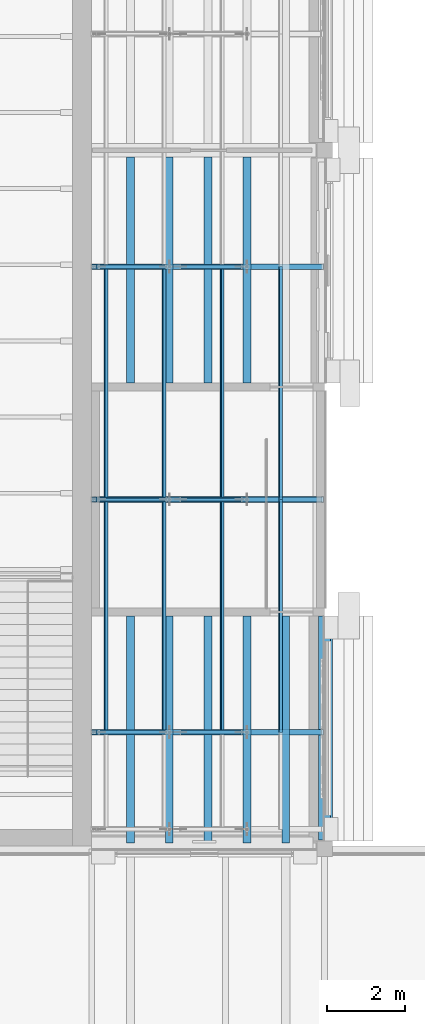
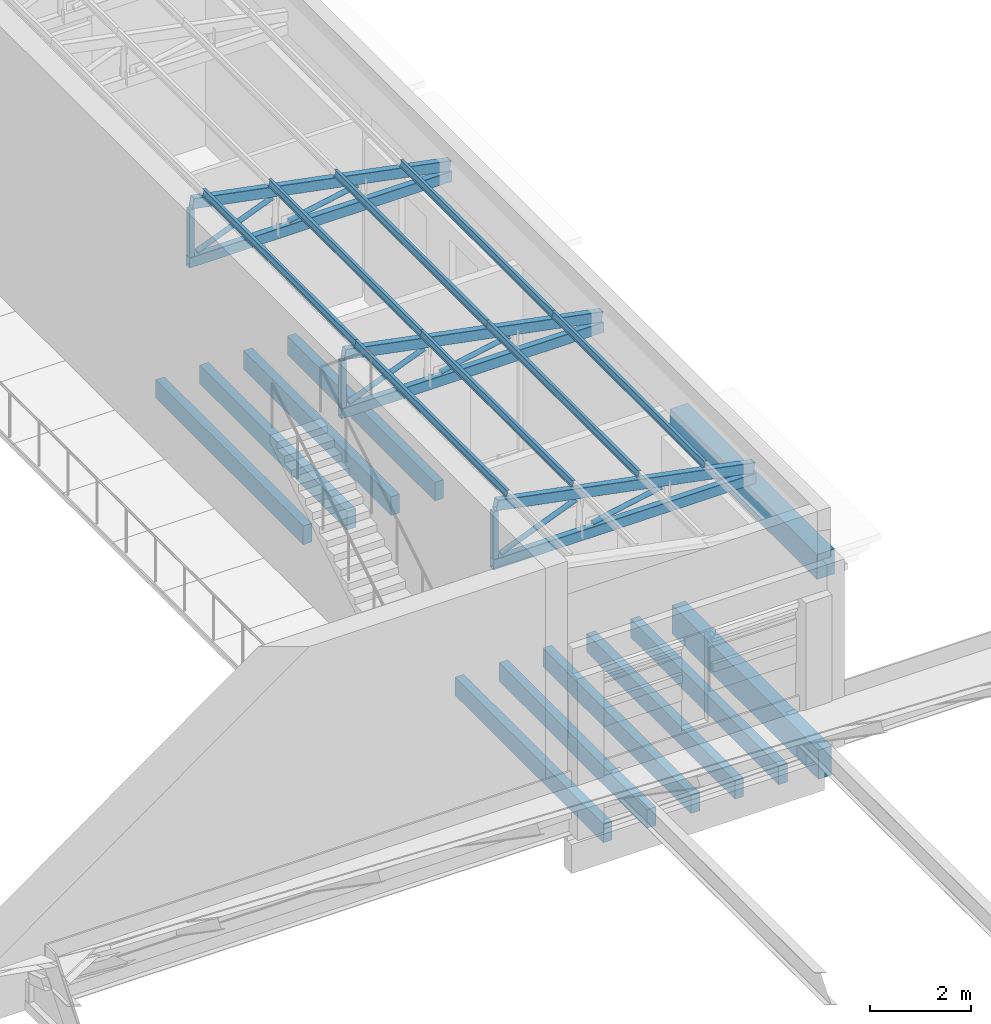
# One storey, part 31 of 118: 23 members, 11 beams.
"""IFC4 building model written with IfcOpenShell, lengths in metres."""

from ifc_helpers import new_model, si_unit, direction, frame, origin, origin_2d, place, context, subcontext, project, spatial, rectangle, hollow_rectangle, hollow_circle, i_section, extrude, material, material_profile, profile_set, type_object, element, save


model = new_model("IFC4")

# Units and contexts
model_context = context("Model", 3, precision=1e-05, world=origin(), true_north=direction((0.0, 1.0)))
body_context = subcontext(model_context, "Body", "Model", "MODEL_VIEW")
ifc_project = project(units=[si_unit("LENGTHUNIT", "METRE"), si_unit("AREAUNIT", "SQUARE_METRE"), si_unit("VOLUMEUNIT", "CUBIC_METRE"), si_unit("PLANEANGLEUNIT", "RADIAN"), si_unit("MASSUNIT", "GRAM", prefix="KILO")], contexts=[model_context])

# Site, building, storey
site_placement = place(None, origin())
site = spatial("IfcSite", under=ifc_project, at=site_placement, CompositionType="ELEMENT")
building_placement = place(site_placement, origin())
building = spatial("IfcBuilding", under=site, at=building_placement, Name="Saffron Lane Theatres", CompositionType="ELEMENT")
storey_placement = place(building_placement, frame((0.0, 0.0, 16.5)))
storey = spatial("IfcBuildingStorey", under=building, at=storey_placement, Name="L03", CompositionType="ELEMENT", Elevation=16.5)

# Beams
ifc_material_1 = material(Name="Concrete N40 (40 MPa)", Category="concrete")
ifc_material_profile_1 = material_profile(ifc_material_1, rectangle(XDim=0.300048828125, YDim=0.699951171875, at=origin_2d()))
ifc_profile_set_1 = profile_set([ifc_material_profile_1], Name="Concrete N40 (40 MPa)")
beam_type_1 = type_object("IfcBeamType", Name="RC-BEAM 300x700", PredefinedType="BEAM", material=ifc_profile_set_1)
beam_1_placement = place(storey_placement, frame((54.0, 30.22509765625, -0.60009765625), z_axis=(0.0, 1.0, 0.0), x_axis=(-1.0, 0.0, 0.0)))
element("IfcBeam", 1, at=beam_1_placement, inside=storey, type_object=beam_type_1, Name="beam-L03-y540-302", PredefinedType="BEAM", context=body_context, shape_type="SweptSolid", body=[
    extrude(rectangle(XDim=0.300048828125, YDim=0.699951171875, at=origin_2d()), origin(), (0.0, 0.0, 1.0), 5.77490234375),
])
ifc_material_2 = material(Name="Concrete N40 (40 MPa)", Category="concrete")
ifc_material_profile_2 = material_profile(ifc_material_2, rectangle(XDim=0.39990234375, YDim=0.60009765625, at=origin_2d()))
ifc_profile_set_2 = profile_set([ifc_material_profile_2], Name="Concrete N40 (40 MPa)")
beam_type_2 = type_object("IfcBeamType", Name="RC-BEAM 400x600", PredefinedType="BEAM", material=ifc_profile_set_2)
beam_2_placement = place(storey_placement, frame((54.0, 30.199951171875, 4.199951171875), z_axis=(0.0, 1.0, 0.0), x_axis=(-1.0, 0.0, 0.0)))
element("IfcBeam", 2, at=beam_2_placement, inside=storey, type_object=beam_type_2, Name="beam-roof-side-y540-7", PredefinedType="BEAM", context=body_context, shape_type="SweptSolid", body=[
    extrude(rectangle(XDim=0.39990234375, YDim=0.60009765625, at=origin_2d()), origin(), (0.0, 0.0, 1.0), 5.800048828125),
])
ifc_material_3 = material(Name="Concrete N40 (40 MPa)", Category="concrete")
ifc_material_profile_3 = material_profile(ifc_material_3, rectangle(XDim=0.199951171875, YDim=0.449951171875, at=origin_2d()))
ifc_profile_set_3 = profile_set([ifc_material_profile_3], Name="Concrete N40 (40 MPa)")
beam_type_3 = type_object("IfcBeamType", Name="RC-JOIST 200x450", PredefinedType="JOIST", material=ifc_profile_set_3)
for number, where, z_axis, x_axis, name in (
    (3, (49.0, 30.14990234375, -0.47509765625), (0.0, 1.0, 0.0), (-1.0, 0.0, 0.0), "joist-L03-y4900-302"),
    (4, (50.0, 30.14990234375, -0.47509765625), (0.0, 1.0, 0.0), (-1.0, 0.0, 0.0), "joist-L03-y5000-302"),
    (5, (51.0, 30.14990234375, -0.47509765625), (0.0, 1.0, 0.0), (-1.0, 0.0, 0.0), "joist-L03-y5100-302"),
    (6, (52.0, 30.14990234375, -0.47509765625), (0.0, 1.0, 0.0), (-1.0, 0.0, 0.0), "joist-L03-y5200-302"),
    (7, (53.0, 30.14990234375, -0.47509765625), (0.0, 1.0, 0.0), (-1.0, 0.0, 0.0), "joist-L03-y5300-302"),
):
    element("IfcBeam", number, at=place(storey_placement, frame(where, z_axis=z_axis, x_axis=x_axis)), inside=storey, type_object=beam_type_3, Name=name, PredefinedType="JOIST", context=body_context, shape_type="SweptSolid", body=[
        extrude(rectangle(XDim=0.199951171875, YDim=0.449951171875, at=origin_2d()), origin(), (0.0, 0.0, 1.0), 5.85009765625),
    ])
for number, where, z_axis, x_axis, name in (
    (8, (49.0, 42.0, -0.47509765625), (0.0, 1.0, 0.0), (-1.0, 0.0, 0.0), "joist-L03-y4900-420"),
    (9, (50.0, 42.0, -0.47509765625), (0.0, 1.0, 0.0), (-1.0, 0.0, 0.0), "joist-L03-y5000-420"),
    (10, (51.0, 42.0, -0.47509765625), (0.0, 1.0, 0.0), (-1.0, 0.0, 0.0), "joist-L03-y5100-420"),
    (11, (52.0, 42.0, -0.47509765625), (0.0, 1.0, 0.0), (-1.0, 0.0, 0.0), "joist-L03-y5200-420"),
):
    element("IfcBeam", number, at=place(storey_placement, frame(where, z_axis=z_axis, x_axis=x_axis)), inside=storey, type_object=beam_type_3, Name=name, PredefinedType="JOIST", context=body_context, shape_type="SweptSolid", body=[
        extrude(rectangle(XDim=0.199951171875, YDim=0.449951171875, at=origin_2d()), origin(), (0.0, 0.0, 1.0), 5.824951171875),
    ])

# Members
ifc_material_4 = material(Name="Steel Grade 350", Category="steel")
ifc_material_profile_4 = material_profile(ifc_material_4, hollow_rectangle(XDim=0.125, YDim=0.125, WallThickness=0.006103515625, InnerFilletRadius=0.0029296875, OuterFilletRadius=0.009033203125, at=origin_2d()))
ifc_profile_set_4 = profile_set([ifc_material_profile_4], Name="Steel Grade 350")
member_type_1 = type_object("IfcMemberType", Name="ST-STUDIO POST 125x125x6 SHS", PredefinedType="POST", material=ifc_profile_set_4)
for number, where, z_axis, x_axis, name in (
    (12, (48.0625, 33.0, 4.75), (0.0, 0.0, 1.0), (1.0, 0.0, 0.0), "SB4-P10"),
    (13, (48.0625, 39.0, 4.75), (0.0, 0.0, 1.0), (1.0, 0.0, 0.0), "SB4-P17"),
    (14, (48.0625, 45.0, 4.75), (0.0, 0.0, 1.0), (1.0, 0.0, 0.0), "SB4-P24"),
):
    element("IfcMember", number, at=place(storey_placement, frame(where, z_axis=z_axis, x_axis=x_axis)), inside=storey, type_object=member_type_1, Name=name, PredefinedType="POST", context=body_context, shape_type="SweptSolid", body=[
        extrude(hollow_rectangle(XDim=0.125, YDim=0.125, WallThickness=0.006103515625, InnerFilletRadius=0.0029296875, OuterFilletRadius=0.009033203125, at=origin_2d()), origin(), (0.0, 0.0, 1.0), 1.140869140625),
    ])
ifc_material_5 = material(Name="Steel Grade 350", Category="steel")
ifc_material_profile_5 = material_profile(ifc_material_5, i_section(OverallWidth=0.074951171875, OverallDepth=0.155029296875, WebThickness=0.006103515625, FlangeThickness=0.009521484375, FilletRadius=0.008056640625, at=origin_2d()))
ifc_profile_set_5 = profile_set([ifc_material_profile_5], Name="Steel Grade 350")
member_type_2 = type_object("IfcMemberType", Name="ST-STUDIO PURLIN 150UB18.0", PredefinedType="PURLIN", material=ifc_profile_set_5)
for number, where, z_axis, x_axis, name in (
    (15, (52.862548828125, 33.0, 5.304443359375), (0.0, 1.0, 0.0), (-0.981660567439, 0.0, 0.190637169344), "SB4-U44"),
    (16, (52.862548828125, 39.0, 5.304443359375), (0.0, 1.0, 0.0), (-0.981660567439, 0.0, 0.190637169344), "SB4-U45"),
    (17, (51.362548828125, 33.0, 5.595947265625), (0.0, 1.0, 0.0), (-0.981660567439, 0.0, 0.190637169344), "SB4-U49"),
    (18, (51.362548828125, 39.0, 5.595947265625), (0.0, 1.0, 0.0), (-0.981660567439, 0.0, 0.190637169344), "SB4-U50"),
    (19, (49.862548828125, 33.0, 5.88720703125), (0.0, 1.0, 0.0), (-0.981660567439, 0.0, 0.190637169344), "SB4-U54"),
    (20, (49.862548828125, 39.0, 5.88720703125), (0.0, 1.0, 0.0), (-0.981660567439, 0.0, 0.190637169344), "SB4-U55"),
    (21, (48.362548828125, 33.0, 6.178466796875), (0.0, 1.0, 0.0), (-0.981660567439, 0.0, 0.190637169344), "SB4-U59"),
    (22, (48.362548828125, 39.0, 6.178466796875), (0.0, 1.0, 0.0), (-0.981660567439, 0.0, 0.190637169344), "SB4-U60"),
):
    element("IfcMember", number, at=place(storey_placement, frame(where, z_axis=z_axis, x_axis=x_axis)), inside=storey, type_object=member_type_2, Name=name, PredefinedType="PURLIN", context=body_context, shape_type="SweptSolid", body=[
        extrude(i_section(OverallWidth=0.074951171875, OverallDepth=0.155029296875, WebThickness=0.006103515625, FlangeThickness=0.009521484375, FilletRadius=0.008056640625, at=origin_2d()), origin(), (0.0, 0.0, 1.0), 6.0),
    ])
ifc_material_6 = material(Name="Steel Grade 350", Category="steel")
ifc_material_profile_6 = material_profile(ifc_material_6, hollow_rectangle(XDim=0.14990234375, YDim=0.25, WallThickness=0.009033203125, InnerFilletRadius=0.00439453125, OuterFilletRadius=0.013427734375, at=origin_2d()))
ifc_profile_set_6 = profile_set([ifc_material_profile_6], Name="Steel Grade 350")
member_type_3 = type_object("IfcMemberType", Name="ST-STUDIO TRUSS CHORD 250x150x9 RHS", PredefinedType="CHORD", material=ifc_profile_set_6)
member_1_placement = place(storey_placement, frame((53.97998046875, 33.0, 4.625), z_axis=(-1.0, 0.0, 0.0), x_axis=(0.0, -1.0, 0.0)))
element("IfcMember", 23, at=member_1_placement, inside=storey, type_object=member_type_3, Name="SB4-T8", PredefinedType="CHORD", context=body_context, shape_type="SweptSolid", body=[
    extrude(hollow_rectangle(XDim=0.14990234375, YDim=0.25, WallThickness=0.009033203125, InnerFilletRadius=0.00439453125, OuterFilletRadius=0.013427734375, at=origin_2d()), origin(), (0.0, 0.0, 1.0), 5.97998046875),
])
member_2_placement = place(storey_placement, frame((53.9462890625, 33.0, 4.8876953125), z_axis=(-0.981654109324, 0.0, 0.190670421534), x_axis=(0.0, -1.0, 0.0)))
element("IfcMember", 24, at=member_2_placement, inside=storey, type_object=member_type_3, Name="SB4-C9", PredefinedType="CHORD", context=body_context, shape_type="SweptSolid", body=[
    extrude(hollow_rectangle(XDim=0.14990234375, YDim=0.25, WallThickness=0.009033203125, InnerFilletRadius=0.00439453125, OuterFilletRadius=0.013427734375, at=origin_2d()), origin(), (0.0, 0.0, 1.0), 5.969482421875),
])
member_3_placement = place(storey_placement, frame((53.97998046875, 39.0, 4.625), z_axis=(-1.0, 0.0, 0.0), x_axis=(0.0, -1.0, 0.0)))
element("IfcMember", 25, at=member_3_placement, inside=storey, type_object=member_type_3, Name="SB4-T15", PredefinedType="CHORD", context=body_context, shape_type="SweptSolid", body=[
    extrude(hollow_rectangle(XDim=0.14990234375, YDim=0.25, WallThickness=0.009033203125, InnerFilletRadius=0.00439453125, OuterFilletRadius=0.013427734375, at=origin_2d()), origin(), (0.0, 0.0, 1.0), 5.97998046875),
])
member_4_placement = place(storey_placement, frame((53.9462890625, 39.0, 4.8876953125), z_axis=(-0.981654109324, 0.0, 0.190670421534), x_axis=(0.0, -1.0, 0.0)))
element("IfcMember", 26, at=member_4_placement, inside=storey, type_object=member_type_3, Name="SB4-C16", PredefinedType="CHORD", context=body_context, shape_type="SweptSolid", body=[
    extrude(hollow_rectangle(XDim=0.14990234375, YDim=0.25, WallThickness=0.009033203125, InnerFilletRadius=0.00439453125, OuterFilletRadius=0.013427734375, at=origin_2d()), origin(), (0.0, 0.0, 1.0), 5.969482421875),
])
member_5_placement = place(storey_placement, frame((53.97998046875, 45.0, 4.625), z_axis=(-1.0, 0.0, 0.0), x_axis=(0.0, -1.0, 0.0)))
element("IfcMember", 27, at=member_5_placement, inside=storey, type_object=member_type_3, Name="SB4-T22", PredefinedType="CHORD", context=body_context, shape_type="SweptSolid", body=[
    extrude(hollow_rectangle(XDim=0.14990234375, YDim=0.25, WallThickness=0.009033203125, InnerFilletRadius=0.00439453125, OuterFilletRadius=0.013427734375, at=origin_2d()), origin(), (0.0, 0.0, 1.0), 5.97998046875),
])
member_6_placement = place(storey_placement, frame((53.9462890625, 45.0, 4.8876953125), z_axis=(-0.981654109324, 0.0, 0.190670421534), x_axis=(0.0, -1.0, 0.0)))
element("IfcMember", 28, at=member_6_placement, inside=storey, type_object=member_type_3, Name="SB4-C23", PredefinedType="CHORD", context=body_context, shape_type="SweptSolid", body=[
    extrude(hollow_rectangle(XDim=0.14990234375, YDim=0.25, WallThickness=0.009033203125, InnerFilletRadius=0.00439453125, OuterFilletRadius=0.013427734375, at=origin_2d()), origin(), (0.0, 0.0, 1.0), 5.969482421875),
])
ifc_material_7 = material(Name="Steel Grade 350", Category="steel")
ifc_material_profile_7 = material_profile(ifc_material_7, hollow_circle(Radius=0.05712890625, WallThickness=0.006103515625, at=origin_2d()))
ifc_profile_set_7 = profile_set([ifc_material_profile_7], Name="Steel Grade 350")
member_type_4 = type_object("IfcMemberType", Name="ST-STUDIO TRUSS WEB 114.3x6.0 CHS", PredefinedType="BRACE", material=ifc_profile_set_7)
member_7_placement = place(storey_placement, frame((48.19482421875, 33.0, 4.802978515625), z_axis=(0.928149794968, 0.0, 0.372206875409), x_axis=(0.0, 1.0, 0.0)))
element("IfcMember", 29, at=member_7_placement, inside=storey, type_object=member_type_4, Name="SB4-W13", PredefinedType="BRACE", context=body_context, shape_type="SweptSolid", body=[
    extrude(hollow_circle(Radius=0.05712890625, WallThickness=0.006103515625, at=origin_2d()), origin(), (0.0, 0.0, 1.0), 1.856201171875),
])
member_8_placement = place(storey_placement, frame((50.288818359375, 33.0, 4.80615234375), z_axis=(0.981678802594, 0.0, 0.190543245845), x_axis=(0.0, 1.0, 0.0)))
element("IfcMember", 30, at=member_8_placement, inside=storey, type_object=member_type_4, Name="SB4-W14", PredefinedType="BRACE", context=body_context, shape_type="SweptSolid", body=[
    extrude(hollow_circle(Radius=0.05712890625, WallThickness=0.006103515625, at=origin_2d()), origin(), (0.0, 0.0, 1.0), 1.6015625),
])
member_9_placement = place(storey_placement, frame((48.19482421875, 39.0, 4.802978515625), z_axis=(0.928149794968, 0.0, 0.372206875409), x_axis=(0.0, 1.0, 0.0)))
element("IfcMember", 31, at=member_9_placement, inside=storey, type_object=member_type_4, Name="SB4-W20", PredefinedType="BRACE", context=body_context, shape_type="SweptSolid", body=[
    extrude(hollow_circle(Radius=0.05712890625, WallThickness=0.006103515625, at=origin_2d()), origin(), (0.0, 0.0, 1.0), 1.856201171875),
])
member_10_placement = place(storey_placement, frame((50.288818359375, 39.0, 4.80615234375), z_axis=(0.981678802594, 0.0, 0.190543245845), x_axis=(0.0, 1.0, 0.0)))
element("IfcMember", 32, at=member_10_placement, inside=storey, type_object=member_type_4, Name="SB4-W21", PredefinedType="BRACE", context=body_context, shape_type="SweptSolid", body=[
    extrude(hollow_circle(Radius=0.05712890625, WallThickness=0.006103515625, at=origin_2d()), origin(), (0.0, 0.0, 1.0), 1.6015625),
])
member_11_placement = place(storey_placement, frame((48.19482421875, 45.0, 4.802978515625), z_axis=(0.928149794968, 0.0, 0.372206875409), x_axis=(0.0, 1.0, 0.0)))
element("IfcMember", 33, at=member_11_placement, inside=storey, type_object=member_type_4, Name="SB4-W27", PredefinedType="BRACE", context=body_context, shape_type="SweptSolid", body=[
    extrude(hollow_circle(Radius=0.05712890625, WallThickness=0.006103515625, at=origin_2d()), origin(), (0.0, 0.0, 1.0), 1.856201171875),
])
member_12_placement = place(storey_placement, frame((50.288818359375, 45.0, 4.80615234375), z_axis=(0.981678802594, 0.0, 0.190543245845), x_axis=(0.0, 1.0, 0.0)))
element("IfcMember", 34, at=member_12_placement, inside=storey, type_object=member_type_4, Name="SB4-W28", PredefinedType="BRACE", context=body_context, shape_type="SweptSolid", body=[
    extrude(hollow_circle(Radius=0.05712890625, WallThickness=0.006103515625, at=origin_2d()), origin(), (0.0, 0.0, 1.0), 1.6015625),
])

save(model, "model.ifc")
